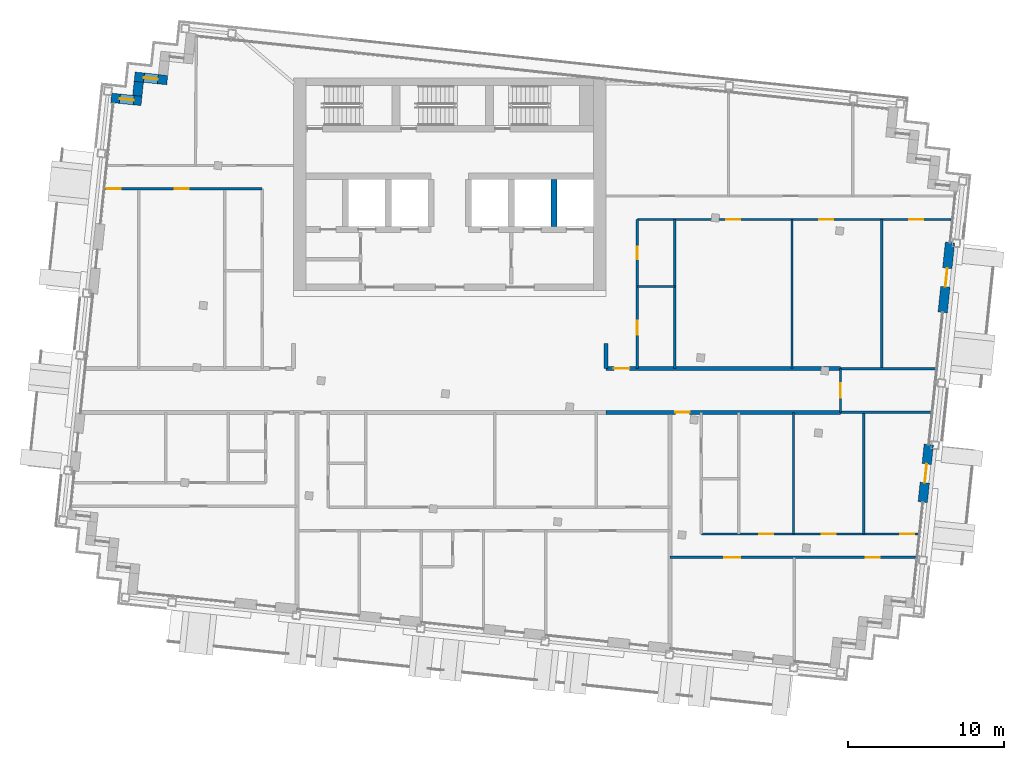
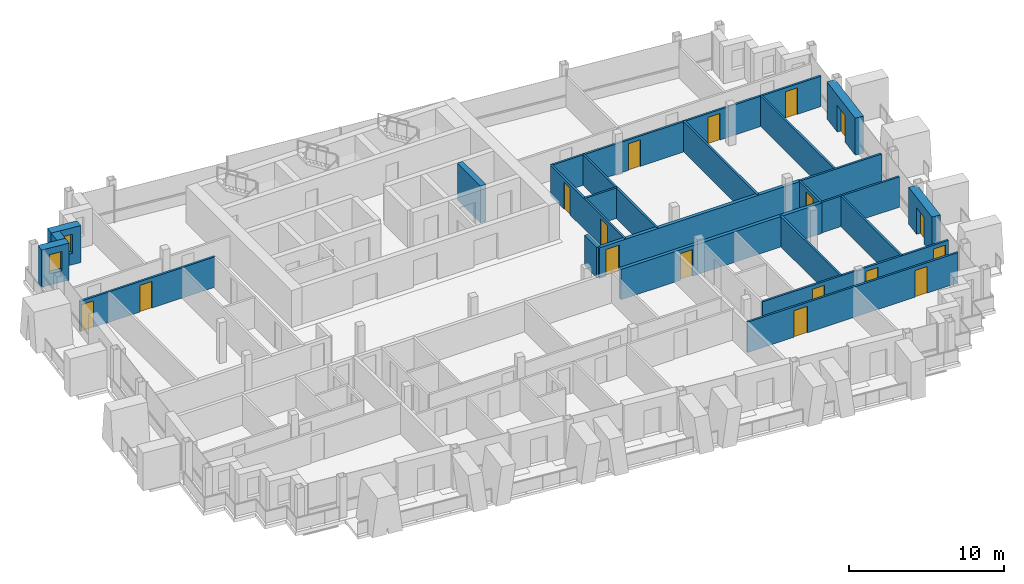
# One storey, part 11 of 16: 23 walls, 17 doors, 2 windows, 19 openings.
"""IFC4 building model written with IfcOpenShell, lengths in metres."""

import ifcopenshell
import ifcopenshell.guid

model = None  # the IFC model being written
_history = None  # IfcOwnerHistory: only IFC2X3 demands one
_inside = {}  # id of a spatial element -> (the spatial element, [elements in it])
_under = {}  # id of a project, library or spatial element -> (it, [spatial elements below it])
_declared = {}  # id of a project -> (the project, [libraries it declares])
_typed = {}  # id of a type object -> (the type object, [elements of that type])
_made_of = {}  # id of a material, layer set ... -> (it, [elements and type objects made of it])


def new_model(schema):
    """Start an empty IFC model of exactly this schema.

    Asked for "IFC4X3", IfcOpenShell would pick the latest addendum, in which some entities
    have other attributes; the version numbers below select the first issue.
    IFC2X3 requires an IfcOwnerHistory on every rooted entity: one is made here for all.
    """
    global model, _history
    if schema == "IFC4X3":
        model = ifcopenshell.file(schema_version=(4, 3, 0, 0))
    else:
        model = ifcopenshell.file(schema=schema)
    _inside.clear()
    _under.clear()
    _declared.clear()
    _typed.clear()
    _made_of.clear()
    _history = None
    if model.schema == "IFC2X3":
        org = make("IfcOrganization", Name="unknown")
        user = make(
            "IfcPersonAndOrganization",
            ThePerson=make("IfcPerson", FamilyName="unknown"),
            TheOrganization=org,
        )
        app = make(
            "IfcApplication",
            ApplicationDeveloper=org,
            Version="unknown",
            ApplicationFullName="unknown",
            ApplicationIdentifier="unknown",
        )
        _history = make(
            "IfcOwnerHistory",
            OwningUser=user,
            OwningApplication=app,
            ChangeAction="ADDED",
            CreationDate=0,
        )
    return model


def make(cls, **values):
    """One entity of the class cls with the attributes given. An attribute that is None is left unset."""
    return model.create_entity(
        cls, **{name: value for name, value in values.items() if value is not None}
    )


def rooted(cls, **values):
    """An entity with a GlobalId (a new one), such as an element, a storey or a relation."""
    return make(cls, GlobalId=ifcopenshell.guid.new(), OwnerHistory=_history, **values)


def si_unit(unit_type, name, prefix=None):
    """IfcSIUnit, for example si_unit("LENGTHUNIT", "METRE", prefix="MILLI")."""
    return make("IfcSIUnit", UnitType=unit_type, Prefix=prefix, Name=name)


def assignment(units):
    """IfcUnitAssignment: the units of a project."""
    return None if units is None else make("IfcUnitAssignment", Units=units)


def point(xyz):
    """IfcCartesianPoint."""
    return None if xyz is None else make("IfcCartesianPoint", Coordinates=xyz)


def direction(xyz):
    """IfcDirection."""
    return None if xyz is None else make("IfcDirection", DirectionRatios=xyz)


def frame(location, z_axis=None, x_axis=None):
    """IfcAxis2Placement3D, a coordinate frame: its origin and axes. An axis left out is left unset."""
    return make(
        "IfcAxis2Placement3D",
        Location=point(location),
        Axis=direction(z_axis),
        RefDirection=direction(x_axis),
    )


def frame_2d(location, x_axis=None):
    """IfcAxis2Placement2D, a coordinate frame in the plane: its origin and x axis."""
    return make(
        "IfcAxis2Placement2D", Location=point(location), RefDirection=direction(x_axis)
    )


def origin():
    """The frame at (0, 0, 0) with its axes left unset."""
    return frame((0.0, 0.0, 0.0))


def place(relative_to, where):
    """IfcLocalPlacement: puts the frame where relative to a parent placement (None: the world)."""
    return make(
        "IfcLocalPlacement", PlacementRelTo=relative_to, RelativePlacement=where
    )


def context(
    kind, dimensions, precision=None, world=None, true_north=None, identifier=None
):
    """IfcGeometricRepresentationContext, for example the 3D "Model" context."""
    return make(
        "IfcGeometricRepresentationContext",
        ContextIdentifier=identifier,
        ContextType=kind,
        CoordinateSpaceDimension=dimensions,
        Precision=precision,
        WorldCoordinateSystem=world,
        TrueNorth=true_north,
    )


def subcontext(parent, identifier, kind, view, scale=None):
    """IfcGeometricRepresentationSubContext, for example "Body" below "Model"."""
    return make(
        "IfcGeometricRepresentationSubContext",
        ContextIdentifier=identifier,
        ContextType=kind,
        ParentContext=parent,
        TargetScale=scale,
        TargetView=view,
    )


def project(units=None, contexts=None):
    """IfcProject with its units and contexts."""
    return rooted(
        "IfcProject",
        Name="project",
        RepresentationContexts=contexts,
        UnitsInContext=assignment(units),
    )


def spatial(cls, under=None, at=None, **own):
    """A site, building, storey or space (cls), placed at a placement, below another one or the project."""
    s = rooted(cls, ObjectPlacement=at, **own)
    if under is not None:
        _under.setdefault(under.id(), (under, []))[1].append(s)
    return s


def profile(cls, at=None, kind="AREA", **sizes):
    """A parametric profile (cls). Its sizes go by their IFC names, for example OverallWidth=200.0."""
    return make(cls, ProfileType=kind, Position=at, **sizes)


def rectangle(**sizes):
    """IfcRectangleProfileDef."""
    return profile("IfcRectangleProfileDef", **sizes)


def extrude(swept, where, along, depth):
    """IfcExtrudedAreaSolid: the profile swept, set in the frame where, extruded along a direction by depth."""
    return make(
        "IfcExtrudedAreaSolid",
        SweptArea=swept,
        Position=where,
        ExtrudedDirection=direction(along),
        Depth=depth,
    )


def shape(context_of_items, identifier, shape_type, items):
    """IfcShapeRepresentation: the items that make up one representation, for example the "Body"."""
    return make(
        "IfcShapeRepresentation",
        ContextOfItems=context_of_items,
        RepresentationIdentifier=identifier,
        RepresentationType=shape_type,
        Items=items,
    )


def material(Name=None, Category=None):
    """IfcMaterial."""
    return make("IfcMaterial", Name=Name, Category=Category)


def layer(
    of_material, thickness, ventilated=None, Name=None, Category=None, Priority=None
):
    """IfcMaterialLayer: one layer of a wall or slab, of a material (None: an air gap)."""
    return make(
        "IfcMaterialLayer",
        Material=of_material,
        LayerThickness=thickness,
        IsVentilated=ventilated,
        Name=Name,
        Category=Category,
        Priority=Priority,
    )


def layer_set(layers, Name=None):
    """IfcMaterialLayerSet."""
    return make("IfcMaterialLayerSet", MaterialLayers=layers, LayerSetName=Name)


def made_of(thing, what):
    """Note that an element or type object is made of a material, layer set ...; save() writes the relation."""
    if what is not None:
        _made_of.setdefault(what.id(), (what, []))[1].append(thing)
    return thing


def type_object(cls, material=None, **own):
    """A type object (cls), such as IfcWallType, which elements share."""
    return made_of(rooted(cls, **own), material)


def element(
    cls,
    number,
    at=None,
    inside=None,
    cuts=None,
    type_object=None,
    material=None,
    context=None,
    identifier="Body",
    shape_type=None,
    held_by="IfcProductDefinitionShape",
    body=None,
    shapes=None,
    **own,
):
    """One element of the class cls, such as IfcWall. Its Tag is "e" and its number.

    at: its placement. inside: the storey or other place that contains it. cuts: it is an
    opening in that element (IfcRelVoidsElement). A single representation is given by context,
    identifier, shape_type and body (its items); several are given by shapes. held_by: the class
    of the entity that holds the representations. save() writes the other relations.
    """
    e = rooted(cls, Tag="e%d" % number, ObjectPlacement=at, **own)
    if body is not None:
        shapes = [shape(context, identifier, shape_type, body)]
    if shapes is not None:
        e.Representation = make(held_by, Representations=shapes)
    if inside is not None:
        _inside.setdefault(inside.id(), (inside, []))[1].append(e)
    if cuts is not None:
        rooted(
            "IfcRelVoidsElement", RelatingBuildingElement=cuts, RelatedOpeningElement=e
        )
    if type_object is not None:
        _typed.setdefault(type_object.id(), (type_object, []))[1].append(e)
    return made_of(e, material)


def fill(opening, filler):
    """IfcRelFillsElement: the door or window that sits in an opening."""
    return rooted(
        "IfcRelFillsElement",
        RelatingOpeningElement=opening,
        RelatedBuildingElement=filler,
    )


def aggregate(whole, parts):
    """IfcRelAggregates: a whole, such as a stair, and the parts it consists of."""
    return rooted("IfcRelAggregates", RelatingObject=whole, RelatedObjects=parts)


def save(model, path):
    """Write the relations noted so far, then the file.

    IfcRelAggregates (storeys below a building ...), IfcRelContainedInSpatialStructure (elements
    in a storey), IfcRelDefinesByType, IfcRelAssociatesMaterial and IfcRelDeclares: one each for
    every whole, place, type object, material and project.
    """
    for whole, parts in _under.values():
        aggregate(whole, parts)
    for where, things in _inside.values():
        rooted(
            "IfcRelContainedInSpatialStructure",
            RelatedElements=things,
            RelatingStructure=where,
        )
    for kind, things in _typed.values():
        rooted("IfcRelDefinesByType", RelatedObjects=things, RelatingType=kind)
    for what, things in _made_of.values():
        rooted("IfcRelAssociatesMaterial", RelatedObjects=things, RelatingMaterial=what)
    for by, libraries in _declared.values():
        rooted("IfcRelDeclares", RelatingContext=by, RelatedDefinitions=libraries)
    model.write(path)


model = new_model("IFC4")

# Units and contexts
model_context = context("Model", 3, precision=1e-05, world=origin(), true_north=direction((0.0, 1.0)))
body_context = subcontext(model_context, "Body", "Model", "MODEL_VIEW")
ifc_project = project(units=[si_unit("LENGTHUNIT", "METRE"), si_unit("AREAUNIT", "SQUARE_METRE"), si_unit("VOLUMEUNIT", "CUBIC_METRE"), si_unit("PLANEANGLEUNIT", "RADIAN"), si_unit("MASSUNIT", "GRAM", prefix="KILO")], contexts=[model_context])

# Site, building, storey
site_placement = place(None, origin())
site = spatial("IfcSite", under=ifc_project, at=site_placement, CompositionType="ELEMENT")
building_placement = place(site_placement, origin())
building = spatial("IfcBuilding", under=site, at=building_placement, Name="Vidyagriha Tower", CompositionType="ELEMENT")
storey_placement = place(building_placement, frame((0.0, 0.0, 259.5)))
storey = spatial("IfcBuildingStorey", under=building, at=storey_placement, Name="L67", CompositionType="ELEMENT", Elevation=259.5)

# Wall, opening, window
ifc_material_1 = material(Name="Precast concrete C40/50 with brick facing", Category="concrete")
ifc_layer_1 = layer(ifc_material_1, 0.60009765625)
ifc_layer_set_1 = layer_set([ifc_layer_1], Name="Precast concrete C40/50 with brick facing")
wall_type_1 = type_object("IfcWallType", Name="Brick-faced precast wall 600", PredefinedType="STANDARD", material=ifc_layer_set_1)
wall_1_placement = place(storey_placement, frame((-18.077392578125, 19.859130859375, 0.0), z_axis=(0.0, 0.0, 1.0), x_axis=(-0.994522640205, 0.104521376379, 0.0)))
wall_1 = element("IfcWall", 1, at=wall_1_placement, inside=storey, type_object=wall_type_1, Name="Stepped corner wall L67 R11", PredefinedType="STANDARD", context=body_context, shape_type="SweptSolid", body=[
    extrude(rectangle(XDim=2.099853515625, YDim=0.60009765625, at=frame_2d((1.0498046875, 0.0))), origin(), (0.0, 0.0, 1.0), 2.919921875),
])
opening_1_placement = place(wall_1_placement, frame((0.60009765625, 0.0, 0.89990234375)))
opening_1 = element("IfcOpeningElement", 2, at=opening_1_placement, cuts=wall_1, Name="Opening WN1", PredefinedType="OPENING", context=body_context, shape_type="SweptSolid", body=[
    extrude(rectangle(XDim=0.89990234375, YDim=1.5, at=frame_2d((0.449951171875, 0.75))), frame((0.0, 0.31005859375, 0.0), z_axis=(0.0, -1.0, 0.0), x_axis=(1.0, 0.0, 0.0)), (0.0, 0.0, 1.0), 0.6201171875),
])
ifc_material_2 = material(Name="Aluminium and glass window", Category="aluminium")
window_type = type_object("IfcWindowType", Name="Reveal window 900x1500", PartitioningType="NOTDEFINED", PredefinedType="WINDOW", material=ifc_material_2)
window_1_placement = place(opening_1_placement, origin())
window_1 = element("IfcWindow", 3, at=window_1_placement, inside=storey, type_object=window_type, Name="Reveal window L67 R11", OverallHeight=1.5, OverallWidth=0.89990234375, PartitioningType="SINGLE_PANEL", PredefinedType="WINDOW", context=body_context, shape_type="SweptSolid", body=[
    extrude(rectangle(XDim=0.89990234375, YDim=1.5, at=frame_2d((0.449951171875, 0.75))), frame((0.0, 0.030029296875, 0.0), z_axis=(0.0, -1.0, 0.0), x_axis=(1.0, 0.0, 0.0)), (0.0, 0.0, 1.0), 0.06005859375),
])
fill(opening_1, window_1)

# Wall
wall_2_placement = place(storey_placement, frame((-19.898681640625, 19.748779296875, 0.0), z_axis=(0.0, 0.0, 1.0), x_axis=(-0.104741284723, -0.994499503909, 0.0)))
element("IfcWall", 4, at=wall_2_placement, inside=storey, type_object=wall_type_1, Name="Stepped corner wall L67 R12", PredefinedType="STANDARD", context=body_context, shape_type="SweptSolid", body=[
    extrude(rectangle(XDim=0.899658203125, YDim=0.60009765625, at=frame_2d((0.44970703125, 0.0))), origin(), (0.0, 0.0, 1.0), 2.919921875),
])

# Wall, opening, window
wall_3_placement = place(storey_placement, frame((-19.725830078125, 18.5244140625, 0.0), z_axis=(0.0, 0.0, 1.0), x_axis=(-0.994534226826, 0.104411070641, 0.0)))
wall_3 = element("IfcWall", 5, at=wall_3_placement, inside=storey, type_object=wall_type_1, Name="Stepped corner wall L67 R13", PredefinedType="STANDARD", context=body_context, shape_type="SweptSolid", body=[
    extrude(rectangle(XDim=1.9501953125, YDim=0.60009765625, at=frame_2d((0.97509765625, 0.0))), origin(), (0.0, 0.0, 1.0), 2.919921875),
])
opening_2_placement = place(wall_3_placement, frame((0.489990234375, 0.0, 0.89990234375)))
opening_2 = element("IfcOpeningElement", 6, at=opening_2_placement, cuts=wall_3, Name="Opening WN1", PredefinedType="OPENING", context=body_context, shape_type="SweptSolid", body=[
    extrude(rectangle(XDim=0.89990234375, YDim=1.5, at=frame_2d((0.449951171875, 0.75))), frame((0.0, 0.31005859375, 0.0), z_axis=(0.0, -1.0, 0.0), x_axis=(1.0, 0.0, 0.0)), (0.0, 0.0, 1.0), 0.6201171875),
])
window_2_placement = place(opening_2_placement, origin())
window_2 = element("IfcWindow", 7, at=window_2_placement, inside=storey, type_object=window_type, Name="Reveal window L67 R13", OverallHeight=1.5, OverallWidth=0.89990234375, PartitioningType="SINGLE_PANEL", PredefinedType="WINDOW", context=body_context, shape_type="SweptSolid", body=[
    extrude(rectangle(XDim=0.89990234375, YDim=1.5, at=frame_2d((0.449951171875, 0.75))), frame((0.0, 0.030029296875, 0.0), z_axis=(0.0, -1.0, 0.0), x_axis=(1.0, 0.0, 0.0)), (0.0, 0.0, 1.0), 0.06005859375),
])
fill(opening_2, window_2)

# Wall, opening, door
wall_4_placement = place(storey_placement, frame((30.26513671875, -7.14208984375, 0.0), z_axis=(0.0, 0.0, 1.0), x_axis=(0.104513052986, 0.994523514933, 0.0)))
wall_4 = element("IfcWall", 8, at=wall_4_placement, inside=storey, type_object=wall_type_1, Name="Brick door bay wall L67 R28.3", PredefinedType="STANDARD", context=body_context, shape_type="SweptSolid", body=[
    extrude(rectangle(XDim=3.7001953125, YDim=0.60009765625, at=frame_2d((1.85009765625, 0.0))), origin(), (0.0, 0.0, 1.0), 2.919921875),
])
opening_3_placement = place(wall_4_placement, frame((1.25, 0.0, 0.0)))
opening_3 = element("IfcOpeningElement", 9, at=opening_3_placement, cuts=wall_4, Name="Opening D67-61", PredefinedType="OPENING", context=body_context, shape_type="SweptSolid", body=[
    extrude(rectangle(XDim=1.199951171875, YDim=2.10009765625, at=frame_2d((0.60009765625, 1.050048828125))), frame((0.0, 0.31005859375, 0.0), z_axis=(0.0, -1.0, 0.0), x_axis=(1.0, 0.0, 0.0)), (0.0, 0.0, 1.0), 0.6201171875),
])
ifc_material_3 = material(Name="Aluminium framed glazed sliding door", Category="aluminium")
door_type_1 = type_object("IfcDoorType", Name="Balcony sliding door 1200x2100", OperationType="NOTDEFINED", PredefinedType="DOOR", material=ifc_material_3)
door_1_placement = place(opening_3_placement, origin())
door_1 = element("IfcDoor", 10, at=door_1_placement, inside=storey, type_object=door_type_1, Name="Door D67-61", OperationType="SLIDING_TO_LEFT", OverallHeight=2.10009765625, OverallWidth=1.199951171875, PredefinedType="DOOR", context=body_context, shape_type="SweptSolid", body=[
    extrude(rectangle(XDim=1.199951171875, YDim=2.10009765625, at=frame_2d((0.60009765625, 1.050048828125))), frame((0.0, 0.02490234375, 0.0), z_axis=(0.0, -1.0, 0.0), x_axis=(1.0, 0.0, 0.0)), (0.0, 0.0, 1.0), 0.050048828125),
])
fill(opening_3, door_1)

wall_5_placement = place(storey_placement, frame((31.540283203125, 4.9912109375, 0.0), z_axis=(0.0, 0.0, 1.0), x_axis=(0.104546400045, 0.994520009974, 0.0)))
wall_5 = element("IfcWall", 11, at=wall_5_placement, inside=storey, type_object=wall_type_1, Name="Brick door bay wall L67 R28.6", PredefinedType="STANDARD", context=body_context, shape_type="SweptSolid", body=[
    extrude(rectangle(XDim=4.5, YDim=0.60009765625, at=frame_2d((2.25, 0.0))), origin(), (0.0, 0.0, 1.0), 2.919921875),
])
opening_4_placement = place(wall_5_placement, frame((1.64990234375, 0.0, 0.0)))
opening_4 = element("IfcOpeningElement", 12, at=opening_4_placement, cuts=wall_5, Name="Opening D67-62", PredefinedType="OPENING", context=body_context, shape_type="SweptSolid", body=[
    extrude(rectangle(XDim=1.199951171875, YDim=2.10009765625, at=frame_2d((0.60009765625, 1.050048828125))), frame((0.0, 0.31005859375, 0.0), z_axis=(0.0, -1.0, 0.0), x_axis=(1.0, 0.0, 0.0)), (0.0, 0.0, 1.0), 0.6201171875),
])
door_2_placement = place(opening_4_placement, origin())
door_2 = element("IfcDoor", 13, at=door_2_placement, inside=storey, type_object=door_type_1, Name="Door D67-62", OperationType="SLIDING_TO_LEFT", OverallHeight=2.10009765625, OverallWidth=1.199951171875, PredefinedType="DOOR", context=body_context, shape_type="SweptSolid", body=[
    extrude(rectangle(XDim=1.199951171875, YDim=2.10009765625, at=frame_2d((0.60009765625, 1.050048828125))), frame((0.0, 0.02490234375, 0.0), z_axis=(0.0, -1.0, 0.0), x_axis=(1.0, 0.0, 0.0)), (0.0, 0.0, 1.0), 0.050048828125),
])
fill(opening_4, door_2)

# Wall
ifc_material_4 = material(Name="Concrete C60/75", Category="concrete")
ifc_layer_2 = layer(ifc_material_4, 0.39990234375)
ifc_layer_set_2 = layer_set([ifc_layer_2], Name="Concrete C60/75")
wall_type_2 = type_object("IfcWallType", Name="Core shear wall 400 mm", PredefinedType="SHEAR", material=ifc_layer_set_2)
wall_6_placement = place(storey_placement, frame((6.666748046875, 10.5, 0.0), z_axis=(0.0, 0.0, 1.0), x_axis=(0.0, 1.0, 0.0)))
element("IfcWall", 14, at=wall_6_placement, inside=storey, type_object=wall_type_2, Name="Core bay wall N6", PredefinedType="SHEAR", context=body_context, shape_type="SweptSolid", body=[
    extrude(rectangle(XDim=3.0, YDim=0.39990234375, at=frame_2d((1.5, 0.0))), origin(), (0.0, 0.0, 1.0), 2.919921875),
])

# Wall, opening, door
ifc_material_5 = material(Name="Fired clay brick masonry", Category="masonry")
ifc_layer_3 = layer(ifc_material_5, 0.25)
ifc_layer_set_3 = layer_set([ifc_layer_3], Name="Fired clay brick masonry")
wall_type_3 = type_object("IfcWallType", Name="Fired clay brick corridor wall 250", PredefinedType="PARTITIONING", material=ifc_layer_set_3)
wall_7_placement = place(storey_placement, frame((25.0, -1.39990234375, 0.0), z_axis=(0.0, 0.0, 1.0), x_axis=(-1.0, 0.0, 0.0)))
wall_7 = element("IfcWall", 15, at=wall_7_placement, inside=storey, type_object=wall_type_3, Name="Wall all-L67-w057", PredefinedType="PARTITIONING", context=body_context, shape_type="SweptSolid", body=[
    extrude(rectangle(XDim=15.0, YDim=0.25, at=frame_2d((7.5, 0.0))), origin(), (0.0, 0.0, 1.0), 2.39990234375),
])
opening_5_placement = place(wall_7_placement, frame((9.657958984375, 0.0, 0.0)))
opening_5 = element("IfcOpeningElement", 16, at=opening_5_placement, cuts=wall_7, Name="Opening D67-36", PredefinedType="OPENING", context=body_context, shape_type="SweptSolid", body=[
    extrude(rectangle(XDim=0.89990234375, YDim=2.10009765625, at=frame_2d((0.449951171875, 1.050048828125))), frame((0.0, 0.135009765625, 0.0), z_axis=(0.0, -1.0, 0.0), x_axis=(1.0, 0.0, 0.0)), (0.0, 0.0, 1.0), 0.27001953125),
])
ifc_material_6 = material(Name="Fire-rated timber door leaf EI 60", Category="wood")
door_type_2 = type_object("IfcDoorType", Name="Flat entrance fire door 900x2100", OperationType="NOTDEFINED", PredefinedType="DOOR", material=ifc_material_6)
door_3_placement = place(opening_5_placement, origin())
door_3 = element("IfcDoor", 17, at=door_3_placement, inside=storey, type_object=door_type_2, Name="Door D67-36", OperationType="SINGLE_SWING_RIGHT", OverallHeight=2.10009765625, OverallWidth=0.89990234375, PredefinedType="DOOR", context=body_context, shape_type="SweptSolid", body=[
    extrude(rectangle(XDim=0.89990234375, YDim=2.10009765625, at=frame_2d((0.449951171875, 1.050048828125))), frame((0.0, 0.02490234375, 0.0), z_axis=(0.0, -1.0, 0.0), x_axis=(1.0, 0.0, 0.0)), (0.0, 0.0, 1.0), 0.050048828125),
])
fill(opening_5, door_3)

wall_8_placement = place(storey_placement, frame((10.0, 1.39990234375, 0.0)))
wall_8 = element("IfcWall", 18, at=wall_8_placement, inside=storey, type_object=wall_type_3, Name="Wall all-L67-w092", PredefinedType="PARTITIONING", context=body_context, shape_type="SweptSolid", body=[
    extrude(rectangle(XDim=15.0, YDim=0.25, at=frame_2d((7.5, 0.0))), origin(), (0.0, 0.0, 1.0), 2.39990234375),
])
opening_6_placement = place(wall_8_placement, frame((0.5, 0.0, 0.0)))
opening_6 = element("IfcOpeningElement", 19, at=opening_6_placement, cuts=wall_8, Name="Opening D67-52", PredefinedType="OPENING", context=body_context, shape_type="SweptSolid", body=[
    extrude(rectangle(XDim=1.0, YDim=2.10009765625, at=frame_2d((0.5, 1.050048828125))), frame((0.0, 0.135009765625, 0.0), z_axis=(0.0, -1.0, 0.0), x_axis=(1.0, 0.0, 0.0)), (0.0, 0.0, 1.0), 0.27001953125),
])
ifc_material_7 = material(Name="Fire-rated timber door leaf EI 60", Category="wood")
door_type_3 = type_object("IfcDoorType", Name="Flat entrance fire door 1000x2100", OperationType="NOTDEFINED", PredefinedType="DOOR", material=ifc_material_7)
door_4_placement = place(opening_6_placement, origin())
door_4 = element("IfcDoor", 20, at=door_4_placement, inside=storey, type_object=door_type_3, Name="Door D67-52", OperationType="SINGLE_SWING_LEFT", OverallHeight=2.10009765625, OverallWidth=1.0, PredefinedType="DOOR", context=body_context, shape_type="SweptSolid", body=[
    extrude(rectangle(XDim=1.0, YDim=2.10009765625, at=frame_2d((0.5, 1.050048828125))), frame((0.0, 0.02490234375, 0.0), z_axis=(0.0, -1.0, 0.0), x_axis=(1.0, 0.0, 0.0)), (0.0, 0.0, 1.0), 0.050048828125),
])
fill(opening_6, door_4)

# Walls
wall_9_placement = place(storey_placement, frame((10.0, 1.39990234375, 0.0), z_axis=(0.0, 0.0, 1.0), x_axis=(0.0, 1.0, 0.0)))
element("IfcWall", 21, at=wall_9_placement, inside=storey, type_object=wall_type_3, Name="Wall all-L67-w098", PredefinedType="PARTITIONING", context=body_context, shape_type="SweptSolid", body=[
    extrude(rectangle(XDim=1.60009765625, YDim=0.25, at=frame_2d((0.800048828125, 0.0))), origin(), (0.0, 0.0, 1.0), 2.39990234375),
])
ifc_material_8 = material(Name="Gypsum board partition")
ifc_layer_4 = layer(ifc_material_8, 0.14990234375)
ifc_layer_set_4 = layer_set([ifc_layer_4], Name="Gypsum board partition")
wall_type_4 = type_object("IfcWallType", Name="Gypsum board partition 150", PredefinedType="PARTITIONING", material=ifc_layer_set_4)
for number, where, z_axis, x_axis, name in (
    (22, (21.998046875, -1.39990234375, 0.0), (0.0, 0.0, 1.0), (0.0, -1.0, 0.0), "Wall all-L67-w044"),
    (23, (26.498046875, -1.39990234375, 0.0), (0.0, 0.0, 1.0), (0.0, -1.0, 0.0), "Wall all-L67-w045"),
):
    element("IfcWall", number, at=place(storey_placement, frame(where, z_axis=z_axis, x_axis=x_axis)), inside=storey, type_object=wall_type_4, Name=name, PredefinedType="PARTITIONING", context=body_context, shape_type="SweptSolid", body=[
        extrude(rectangle(XDim=7.78173828125, YDim=0.14990234375, at=frame_2d((3.890869140625, 0.0))), origin(), (0.0, 0.0, 1.0), 2.39990234375),
    ])

# Wall, openings, doors
wall_10_placement = place(storey_placement, frame((16.097900390625, -9.181640625, 0.0)))
wall_10 = element("IfcWall", 24, at=wall_10_placement, inside=storey, type_object=wall_type_4, Name="Wall all-L67-w046", PredefinedType="PARTITIONING", context=body_context, shape_type="SweptSolid", body=[
    extrude(rectangle(XDim=13.873291015625, YDim=0.14990234375, at=frame_2d((6.9365234375, 0.0))), origin(), (0.0, 0.0, 1.0), 2.39990234375),
])
opening_7_placement = place(wall_10_placement, frame((3.699951171875, 0.0, 0.0)))
opening_7 = element("IfcOpeningElement", 25, at=opening_7_placement, cuts=wall_10, Name="Opening D67-31", PredefinedType="OPENING", context=body_context, shape_type="SweptSolid", body=[
    extrude(rectangle(XDim=0.89990234375, YDim=2.10009765625, at=frame_2d((0.449951171875, 1.050048828125))), frame((0.0, 0.0849609375, 0.0), z_axis=(0.0, -1.0, 0.0), x_axis=(1.0, 0.0, 0.0)), (0.0, 0.0, 1.0), 0.169921875),
])
opening_8_placement = place(wall_10_placement, frame((7.699951171875, 0.0, 0.0)))
opening_8 = element("IfcOpeningElement", 26, at=opening_8_placement, cuts=wall_10, Name="Opening D67-32", PredefinedType="OPENING", context=body_context, shape_type="SweptSolid", body=[
    extrude(rectangle(XDim=0.89990234375, YDim=2.10009765625, at=frame_2d((0.449951171875, 1.050048828125))), frame((0.0, 0.0849609375, 0.0), z_axis=(0.0, -1.0, 0.0), x_axis=(1.0, 0.0, 0.0)), (0.0, 0.0, 1.0), 0.169921875),
])
opening_9_placement = place(wall_10_placement, frame((12.7294921875, 0.0, 0.0)))
opening_9 = element("IfcOpeningElement", 27, at=opening_9_placement, cuts=wall_10, Name="Opening D67-33", PredefinedType="OPENING", context=body_context, shape_type="SweptSolid", body=[
    extrude(rectangle(XDim=0.89990234375, YDim=2.10009765625, at=frame_2d((0.449951171875, 1.050048828125))), frame((0.0, 0.0849609375, 0.0), z_axis=(0.0, -1.0, 0.0), x_axis=(1.0, 0.0, 0.0)), (0.0, 0.0, 1.0), 0.169921875),
])
ifc_material_9 = material(Name="Timber door leaf", Category="wood")
door_type_4 = type_object("IfcDoorType", Name="Room door 900x2100", OperationType="NOTDEFINED", PredefinedType="DOOR", material=ifc_material_9)
door_5_placement = place(opening_7_placement, origin())
door_5 = element("IfcDoor", 28, at=door_5_placement, inside=storey, type_object=door_type_4, Name="Door D67-31", OperationType="SINGLE_SWING_RIGHT", OverallHeight=2.10009765625, OverallWidth=0.89990234375, PredefinedType="DOOR", context=body_context, shape_type="SweptSolid", body=[
    extrude(rectangle(XDim=0.89990234375, YDim=2.10009765625, at=frame_2d((0.449951171875, 1.050048828125))), frame((0.0, 0.02490234375, 0.0), z_axis=(0.0, -1.0, 0.0), x_axis=(1.0, 0.0, 0.0)), (0.0, 0.0, 1.0), 0.050048828125),
])
fill(opening_7, door_5)
door_6_placement = place(opening_8_placement, origin())
door_6 = element("IfcDoor", 29, at=door_6_placement, inside=storey, type_object=door_type_4, Name="Door D67-32", OperationType="SINGLE_SWING_RIGHT", OverallHeight=2.10009765625, OverallWidth=0.89990234375, PredefinedType="DOOR", context=body_context, shape_type="SweptSolid", body=[
    extrude(rectangle(XDim=0.89990234375, YDim=2.10009765625, at=frame_2d((0.449951171875, 1.050048828125))), frame((0.0, 0.02490234375, 0.0), z_axis=(0.0, -1.0, 0.0), x_axis=(1.0, 0.0, 0.0)), (0.0, 0.0, 1.0), 0.050048828125),
])
fill(opening_8, door_6)
door_7_placement = place(opening_9_placement, origin())
door_7 = element("IfcDoor", 30, at=door_7_placement, inside=storey, type_object=door_type_4, Name="Door D67-33", OperationType="SINGLE_SWING_RIGHT", OverallHeight=2.10009765625, OverallWidth=0.89990234375, PredefinedType="DOOR", context=body_context, shape_type="SweptSolid", body=[
    extrude(rectangle(XDim=0.89990234375, YDim=2.10009765625, at=frame_2d((0.449951171875, 1.050048828125))), frame((0.0, 0.02490234375, 0.0), z_axis=(0.0, -1.0, 0.0), x_axis=(1.0, 0.0, 0.0)), (0.0, 0.0, 1.0), 0.050048828125),
])
fill(opening_9, door_7)

wall_11_placement = place(storey_placement, frame((29.813720703125, -10.681640625, 0.0), z_axis=(0.0, 0.0, 1.0), x_axis=(-1.0, 0.0, 0.0)))
wall_11 = element("IfcWall", 31, at=wall_11_placement, inside=storey, type_object=wall_type_4, Name="Wall all-L67-w050", PredefinedType="PARTITIONING", context=body_context, shape_type="SweptSolid", body=[
    extrude(rectangle(XDim=15.7158203125, YDim=0.14990234375, at=frame_2d((7.85791015625, 0.0))), origin(), (0.0, 0.0, 1.0), 2.39990234375),
])
opening_10_placement = place(wall_11_placement, frame((11.237548828125, 0.0, 0.0)))
opening_10 = element("IfcOpeningElement", 32, at=opening_10_placement, cuts=wall_11, Name="Opening D67-34", PredefinedType="OPENING", context=body_context, shape_type="SweptSolid", body=[
    extrude(rectangle(XDim=1.0, YDim=2.10009765625, at=frame_2d((0.5, 1.050048828125))), frame((0.0, 0.0849609375, 0.0), z_axis=(0.0, -1.0, 0.0), x_axis=(1.0, 0.0, 0.0)), (0.0, 0.0, 1.0), 0.169921875),
])
opening_11_placement = place(wall_11_placement, frame((2.30810546875, 0.0, 0.0)))
opening_11 = element("IfcOpeningElement", 33, at=opening_11_placement, cuts=wall_11, Name="Opening D67-35", PredefinedType="OPENING", context=body_context, shape_type="SweptSolid", body=[
    extrude(rectangle(XDim=0.89990234375, YDim=2.10009765625, at=frame_2d((0.449951171875, 1.050048828125))), frame((0.0, 0.0849609375, 0.0), z_axis=(0.0, -1.0, 0.0), x_axis=(1.0, 0.0, 0.0)), (0.0, 0.0, 1.0), 0.169921875),
])
ifc_material_10 = material(Name="Timber door leaf", Category="wood")
door_type_5 = type_object("IfcDoorType", Name="Room door 1000x2100", OperationType="NOTDEFINED", PredefinedType="DOOR", material=ifc_material_10)
door_8_placement = place(opening_10_placement, origin())
door_8 = element("IfcDoor", 34, at=door_8_placement, inside=storey, type_object=door_type_5, Name="Door D67-34", OperationType="SINGLE_SWING_RIGHT", OverallHeight=2.10009765625, OverallWidth=1.0, PredefinedType="DOOR", context=body_context, shape_type="SweptSolid", body=[
    extrude(rectangle(XDim=1.0, YDim=2.10009765625, at=frame_2d((0.5, 1.050048828125))), frame((0.0, 0.02490234375, 0.0), z_axis=(0.0, -1.0, 0.0), x_axis=(1.0, 0.0, 0.0)), (0.0, 0.0, 1.0), 0.050048828125),
])
fill(opening_10, door_8)
door_9_placement = place(opening_11_placement, origin())
door_9 = element("IfcDoor", 35, at=door_9_placement, inside=storey, type_object=door_type_4, Name="Door D67-35", OperationType="SINGLE_SWING_LEFT", OverallHeight=2.10009765625, OverallWidth=0.89990234375, PredefinedType="DOOR", context=body_context, shape_type="SweptSolid", body=[
    extrude(rectangle(XDim=0.89990234375, YDim=2.10009765625, at=frame_2d((0.449951171875, 1.050048828125))), frame((0.0, 0.02490234375, 0.0), z_axis=(0.0, -1.0, 0.0), x_axis=(1.0, 0.0, 0.0)), (0.0, 0.0, 1.0), 0.050048828125),
])
fill(opening_11, door_9)

# Wall
wall_12_placement = place(storey_placement, frame((30.79833984375, -1.39990234375, 0.0), z_axis=(0.0, 0.0, 1.0), x_axis=(-1.0, 0.0, 0.0)))
element("IfcWall", 36, at=wall_12_placement, inside=storey, type_object=wall_type_4, Name="Wall all-L67-w058", PredefinedType="PARTITIONING", context=body_context, shape_type="SweptSolid", body=[
    extrude(rectangle(XDim=5.79833984375, YDim=0.14990234375, at=frame_2d((2.899169921875, 0.0))), origin(), (0.0, 0.0, 1.0), 2.39990234375),
])

# Wall, openings, doors
wall_13_placement = place(storey_placement, frame((-12.0, 12.89990234375, 0.0), z_axis=(0.0, 0.0, 1.0), x_axis=(-1.0, 0.0, 0.0)))
wall_13 = element("IfcWall", 37, at=wall_13_placement, inside=storey, type_object=wall_type_4, Name="Wall all-L67-w065", PredefinedType="PARTITIONING", context=body_context, shape_type="SweptSolid", body=[
    extrude(rectangle(XDim=10.04736328125, YDim=0.14990234375, at=frame_2d((5.023681640625, 0.0))), origin(), (0.0, 0.0, 1.0), 2.39990234375),
])
opening_12_placement = place(wall_13_placement, frame((4.699951171875, 0.0, 0.0)))
opening_12 = element("IfcOpeningElement", 38, at=opening_12_placement, cuts=wall_13, Name="Opening D67-39", PredefinedType="OPENING", context=body_context, shape_type="SweptSolid", body=[
    extrude(rectangle(XDim=0.89990234375, YDim=2.10009765625, at=frame_2d((0.449951171875, 1.050048828125))), frame((0.0, 0.0849609375, 0.0), z_axis=(0.0, -1.0, 0.0), x_axis=(1.0, 0.0, 0.0)), (0.0, 0.0, 1.0), 0.169921875),
])
opening_13_placement = place(wall_13_placement, frame((9.04736328125, 0.0, 0.0)))
opening_13 = element("IfcOpeningElement", 39, at=opening_13_placement, cuts=wall_13, Name="Opening D67-40", PredefinedType="OPENING", context=body_context, shape_type="SweptSolid", body=[
    extrude(rectangle(XDim=0.89990234375, YDim=2.10009765625, at=frame_2d((0.449951171875, 1.050048828125))), frame((0.0, 0.0849609375, 0.0), z_axis=(0.0, -1.0, 0.0), x_axis=(1.0, 0.0, 0.0)), (0.0, 0.0, 1.0), 0.169921875),
])
door_10_placement = place(opening_12_placement, origin())
door_10 = element("IfcDoor", 40, at=door_10_placement, inside=storey, type_object=door_type_4, Name="Door D67-39", OperationType="SINGLE_SWING_LEFT", OverallHeight=2.10009765625, OverallWidth=0.89990234375, PredefinedType="DOOR", context=body_context, shape_type="SweptSolid", body=[
    extrude(rectangle(XDim=0.89990234375, YDim=2.10009765625, at=frame_2d((0.449951171875, 1.050048828125))), frame((0.0, 0.02490234375, 0.0), z_axis=(0.0, -1.0, 0.0), x_axis=(1.0, 0.0, 0.0)), (0.0, 0.0, 1.0), 0.050048828125),
])
fill(opening_12, door_10)
door_11_placement = place(opening_13_placement, origin())
door_11 = element("IfcDoor", 41, at=door_11_placement, inside=storey, type_object=door_type_4, Name="Door D67-40", OperationType="SINGLE_SWING_RIGHT", OverallHeight=2.10009765625, OverallWidth=0.89990234375, PredefinedType="DOOR", context=body_context, shape_type="SweptSolid", body=[
    extrude(rectangle(XDim=0.89990234375, YDim=2.10009765625, at=frame_2d((0.449951171875, 1.050048828125))), frame((0.0, 0.02490234375, 0.0), z_axis=(0.0, -1.0, 0.0), x_axis=(1.0, 0.0, 0.0)), (0.0, 0.0, 1.0), 0.050048828125),
])
fill(opening_13, door_11)

# Walls
wall_14_placement = place(storey_placement, frame((12.0, 6.64990234375, 0.0)))
element("IfcWall", 42, at=wall_14_placement, inside=storey, type_object=wall_type_4, Name="Wall all-L67-w077", PredefinedType="PARTITIONING", context=body_context, shape_type="SweptSolid", body=[
    extrude(rectangle(XDim=2.39990234375, YDim=0.14990234375, at=frame_2d((1.199951171875, 0.0))), origin(), (0.0, 0.0, 1.0), 2.39990234375),
])
for number, where, z_axis, x_axis, name in (
    (43, (14.39990234375, 10.943359375, 0.0), (0.0, 0.0, 1.0), (0.0, -1.0, 0.0), "Wall all-L67-w078"),
    (44, (21.89990234375, 10.943359375, 0.0), (0.0, 0.0, 1.0), (0.0, -1.0, 0.0), "Wall all-L67-w079"),
    (45, (27.64990234375, 10.943359375, 0.0), (0.0, 0.0, 1.0), (0.0, -1.0, 0.0), "Wall all-L67-w080"),
):
    element("IfcWall", number, at=place(storey_placement, frame(where, z_axis=z_axis, x_axis=x_axis)), inside=storey, type_object=wall_type_4, Name=name, PredefinedType="PARTITIONING", context=body_context, shape_type="SweptSolid", body=[
        extrude(rectangle(XDim=9.54345703125, YDim=0.14990234375, at=frame_2d((4.771728515625, 0.0))), origin(), (0.0, 0.0, 1.0), 2.39990234375),
    ])

# Wall, openings, doors
wall_15_placement = place(storey_placement, frame((32.086669921875, 10.943359375, 0.0), z_axis=(0.0, 0.0, 1.0), x_axis=(-1.0, 0.0, 0.0)))
wall_15 = element("IfcWall", 46, at=wall_15_placement, inside=storey, type_object=wall_type_4, Name="Wall all-L67-w081", PredefinedType="PARTITIONING", context=body_context, shape_type="SweptSolid", body=[
    extrude(rectangle(XDim=20.086669921875, YDim=0.14990234375, at=frame_2d((10.04345703125, 0.0))), origin(), (0.0, 0.0, 1.0), 2.39990234375),
])
opening_14_placement = place(wall_15_placement, frame((13.486572265625, 0.0, 0.0)))
opening_14 = element("IfcOpeningElement", 47, at=opening_14_placement, cuts=wall_15, Name="Opening D67-46", PredefinedType="OPENING", context=body_context, shape_type="SweptSolid", body=[
    extrude(rectangle(XDim=0.89990234375, YDim=2.10009765625, at=frame_2d((0.449951171875, 1.050048828125))), frame((0.0, 0.0849609375, 0.0), z_axis=(0.0, -1.0, 0.0), x_axis=(1.0, 0.0, 0.0)), (0.0, 0.0, 1.0), 0.169921875),
])
opening_15_placement = place(wall_15_placement, frame((7.5419921875, 0.0, 0.0)))
opening_15 = element("IfcOpeningElement", 48, at=opening_15_placement, cuts=wall_15, Name="Opening D67-47", PredefinedType="OPENING", context=body_context, shape_type="SweptSolid", body=[
    extrude(rectangle(XDim=0.89990234375, YDim=2.10009765625, at=frame_2d((0.449951171875, 1.050048828125))), frame((0.0, 0.0849609375, 0.0), z_axis=(0.0, -1.0, 0.0), x_axis=(1.0, 0.0, 0.0)), (0.0, 0.0, 1.0), 0.169921875),
])
opening_16_placement = place(wall_15_placement, frame((1.783203125, 0.0, 0.0)))
opening_16 = element("IfcOpeningElement", 49, at=opening_16_placement, cuts=wall_15, Name="Opening D67-48", PredefinedType="OPENING", context=body_context, shape_type="SweptSolid", body=[
    extrude(rectangle(XDim=0.89990234375, YDim=2.10009765625, at=frame_2d((0.449951171875, 1.050048828125))), frame((0.0, 0.0849609375, 0.0), z_axis=(0.0, -1.0, 0.0), x_axis=(1.0, 0.0, 0.0)), (0.0, 0.0, 1.0), 0.169921875),
])
door_12_placement = place(opening_14_placement, origin())
door_12 = element("IfcDoor", 50, at=door_12_placement, inside=storey, type_object=door_type_4, Name="Door D67-46", OperationType="SINGLE_SWING_RIGHT", OverallHeight=2.10009765625, OverallWidth=0.89990234375, PredefinedType="DOOR", context=body_context, shape_type="SweptSolid", body=[
    extrude(rectangle(XDim=0.89990234375, YDim=2.10009765625, at=frame_2d((0.449951171875, 1.050048828125))), frame((0.0, 0.02490234375, 0.0), z_axis=(0.0, -1.0, 0.0), x_axis=(1.0, 0.0, 0.0)), (0.0, 0.0, 1.0), 0.050048828125),
])
fill(opening_14, door_12)
door_13_placement = place(opening_15_placement, origin())
door_13 = element("IfcDoor", 51, at=door_13_placement, inside=storey, type_object=door_type_4, Name="Door D67-47", OperationType="SINGLE_SWING_RIGHT", OverallHeight=2.10009765625, OverallWidth=0.89990234375, PredefinedType="DOOR", context=body_context, shape_type="SweptSolid", body=[
    extrude(rectangle(XDim=0.89990234375, YDim=2.10009765625, at=frame_2d((0.449951171875, 1.050048828125))), frame((0.0, 0.02490234375, 0.0), z_axis=(0.0, -1.0, 0.0), x_axis=(1.0, 0.0, 0.0)), (0.0, 0.0, 1.0), 0.050048828125),
])
fill(opening_15, door_13)
door_14_placement = place(opening_16_placement, origin())
door_14 = element("IfcDoor", 52, at=door_14_placement, inside=storey, type_object=door_type_4, Name="Door D67-48", OperationType="SINGLE_SWING_LEFT", OverallHeight=2.10009765625, OverallWidth=0.89990234375, PredefinedType="DOOR", context=body_context, shape_type="SweptSolid", body=[
    extrude(rectangle(XDim=0.89990234375, YDim=2.10009765625, at=frame_2d((0.449951171875, 1.050048828125))), frame((0.0, 0.02490234375, 0.0), z_axis=(0.0, -1.0, 0.0), x_axis=(1.0, 0.0, 0.0)), (0.0, 0.0, 1.0), 0.050048828125),
])
fill(opening_16, door_14)

# Wall
wall_16_placement = place(storey_placement, frame((25.0, 1.39990234375, 0.0)))
element("IfcWall", 53, at=wall_16_placement, inside=storey, type_object=wall_type_4, Name="Wall all-L67-w093", PredefinedType="PARTITIONING", context=body_context, shape_type="SweptSolid", body=[
    extrude(rectangle(XDim=6.092529296875, YDim=0.14990234375, at=frame_2d((3.04638671875, 0.0))), origin(), (0.0, 0.0, 1.0), 2.39990234375),
])

# Wall, opening, door
wall_17_placement = place(storey_placement, frame((25.0, -1.39990234375, 0.0), z_axis=(0.0, 0.0, 1.0), x_axis=(0.0, 1.0, 0.0)))
wall_17 = element("IfcWall", 54, at=wall_17_placement, inside=storey, type_object=wall_type_4, Name="Wall all-L67-w094", PredefinedType="PARTITIONING", context=body_context, shape_type="SweptSolid", body=[
    extrude(rectangle(XDim=2.7998046875, YDim=0.14990234375, at=frame_2d((1.39990234375, 0.0))), origin(), (0.0, 0.0, 1.0), 2.39990234375),
])
opening_17_placement = place(wall_17_placement, frame((0.949951171875, 0.0, 0.0)))
opening_17 = element("IfcOpeningElement", 55, at=opening_17_placement, cuts=wall_17, Name="Opening D67-53", PredefinedType="OPENING", context=body_context, shape_type="SweptSolid", body=[
    extrude(rectangle(XDim=0.89990234375, YDim=2.10009765625, at=frame_2d((0.449951171875, 1.050048828125))), frame((0.0, 0.0849609375, 0.0), z_axis=(0.0, -1.0, 0.0), x_axis=(1.0, 0.0, 0.0)), (0.0, 0.0, 1.0), 0.169921875),
])
door_15_placement = place(opening_17_placement, origin())
door_15 = element("IfcDoor", 56, at=door_15_placement, inside=storey, type_object=door_type_4, Name="Door D67-53", OperationType="SINGLE_SWING_RIGHT", OverallHeight=2.10009765625, OverallWidth=0.89990234375, PredefinedType="DOOR", context=body_context, shape_type="SweptSolid", body=[
    extrude(rectangle(XDim=0.89990234375, YDim=2.10009765625, at=frame_2d((0.449951171875, 1.050048828125))), frame((0.0, 0.02490234375, 0.0), z_axis=(0.0, -1.0, 0.0), x_axis=(1.0, 0.0, 0.0)), (0.0, 0.0, 1.0), 0.050048828125),
])
fill(opening_17, door_15)

# Wall, openings, doors
ifc_material_11 = material(Name="Moisture resistant gypsum board partition")
ifc_layer_5 = layer(ifc_material_11, 0.14990234375)
ifc_layer_set_5 = layer_set([ifc_layer_5], Name="Moisture resistant gypsum board partition")
wall_type_5 = type_object("IfcWallType", Name="Gypsum board wet-area partition 150", PredefinedType="PARTITIONING", material=ifc_layer_set_5)
wall_18_placement = place(storey_placement, frame((12.0, 10.943359375, 0.0), z_axis=(0.0, 0.0, 1.0), x_axis=(0.0, -1.0, 0.0)))
wall_18 = element("IfcWall", 57, at=wall_18_placement, inside=storey, type_object=wall_type_5, Name="Wall all-L67-w074", PredefinedType="PARTITIONING", context=body_context, shape_type="SweptSolid", body=[
    extrude(rectangle(XDim=9.54345703125, YDim=0.14990234375, at=frame_2d((4.771728515625, 0.0))), origin(), (0.0, 0.0, 1.0), 2.39990234375),
])
opening_18_placement = place(wall_18_placement, frame((6.468505859375, 0.0, 0.0)))
opening_18 = element("IfcOpeningElement", 58, at=opening_18_placement, cuts=wall_18, Name="Opening D67-44", PredefinedType="OPENING", context=body_context, shape_type="SweptSolid", body=[
    extrude(rectangle(XDim=0.89990234375, YDim=2.10009765625, at=frame_2d((0.449951171875, 1.050048828125))), frame((0.0, 0.0849609375, 0.0), z_axis=(0.0, -1.0, 0.0), x_axis=(1.0, 0.0, 0.0)), (0.0, 0.0, 1.0), 0.169921875),
])
opening_19_placement = place(wall_18_placement, frame((1.74658203125, 0.0, 0.0)))
opening_19 = element("IfcOpeningElement", 59, at=opening_19_placement, cuts=wall_18, Name="Opening D67-45", PredefinedType="OPENING", context=body_context, shape_type="SweptSolid", body=[
    extrude(rectangle(XDim=0.800048828125, YDim=2.10009765625, at=frame_2d((0.39990234375, 1.050048828125))), frame((0.0, 0.0849609375, 0.0), z_axis=(0.0, -1.0, 0.0), x_axis=(1.0, 0.0, 0.0)), (0.0, 0.0, 1.0), 0.169921875),
])
ifc_material_12 = material(Name="Timber door leaf", Category="wood")
door_type_6 = type_object("IfcDoorType", Name="Bathroom door 800x2100", OperationType="NOTDEFINED", PredefinedType="DOOR", material=ifc_material_12)
door_16_placement = place(opening_19_placement, origin())
door_16 = element("IfcDoor", 60, at=door_16_placement, inside=storey, type_object=door_type_6, Name="Door D67-45", OperationType="SINGLE_SWING_RIGHT", OverallHeight=2.10009765625, OverallWidth=0.800048828125, PredefinedType="DOOR", context=body_context, shape_type="SweptSolid", body=[
    extrude(rectangle(XDim=0.800048828125, YDim=2.10009765625, at=frame_2d((0.39990234375, 1.050048828125))), frame((0.0, 0.02490234375, 0.0), z_axis=(0.0, -1.0, 0.0), x_axis=(1.0, 0.0, 0.0)), (0.0, 0.0, 1.0), 0.050048828125),
])
fill(opening_19, door_16)
ifc_material_13 = material(Name="Timber door leaf", Category="wood")
door_type_7 = type_object("IfcDoorType", Name="Kitchen door 900x2100", OperationType="NOTDEFINED", PredefinedType="DOOR", material=ifc_material_13)
door_17_placement = place(opening_18_placement, origin())
door_17 = element("IfcDoor", 61, at=door_17_placement, inside=storey, type_object=door_type_7, Name="Door D67-44", OperationType="SINGLE_SWING_LEFT", OverallHeight=2.10009765625, OverallWidth=0.89990234375, PredefinedType="DOOR", context=body_context, shape_type="SweptSolid", body=[
    extrude(rectangle(XDim=0.89990234375, YDim=2.10009765625, at=frame_2d((0.449951171875, 1.050048828125))), frame((0.0, 0.02490234375, 0.0), z_axis=(0.0, -1.0, 0.0), x_axis=(1.0, 0.0, 0.0)), (0.0, 0.0, 1.0), 0.050048828125),
])
fill(opening_18, door_17)

save(model, "model.ifc")
